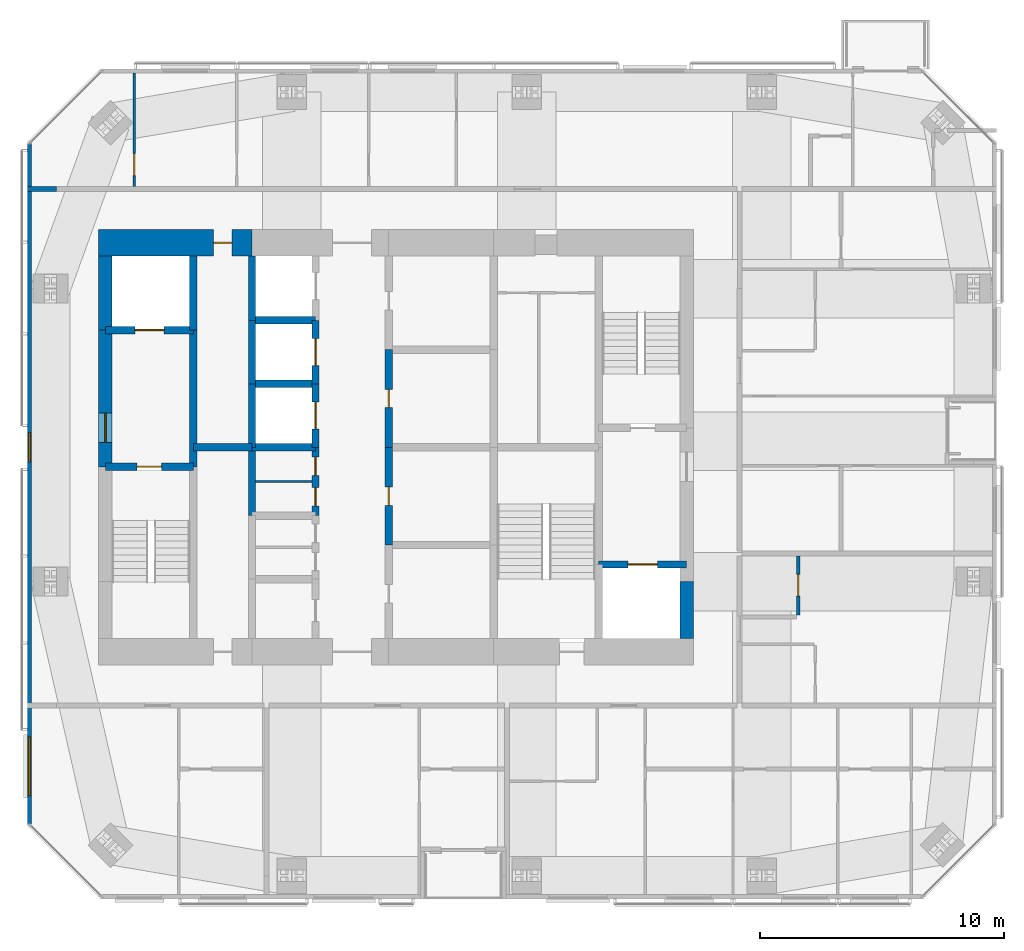
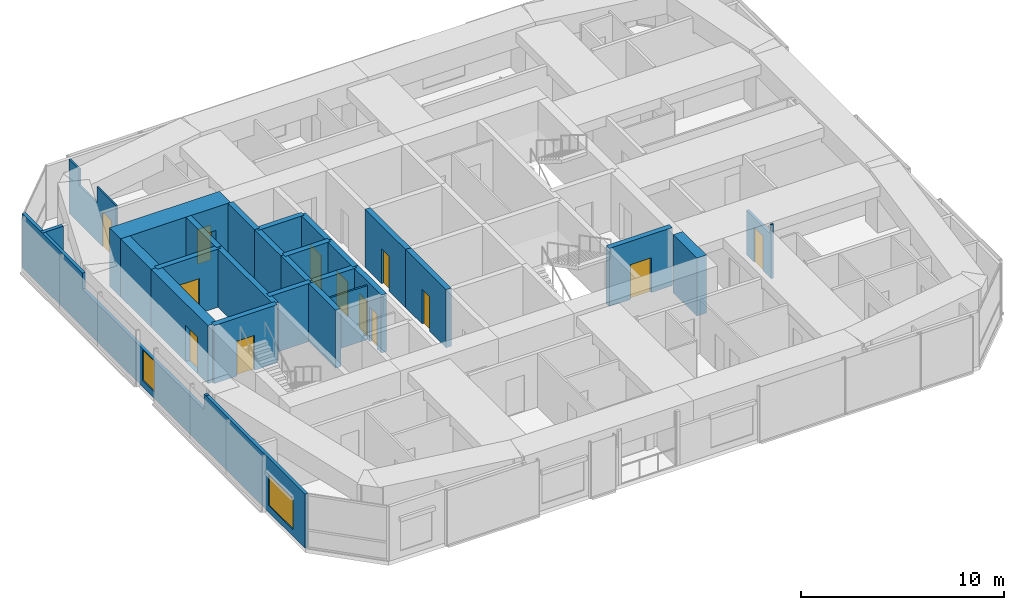
# One storey, part 16 of 20: 27 walls, 13 doors, 2 windows, 15 openings.
"""IFC4 building model written with IfcOpenShell, lengths in metres."""

from ifc_helpers import new_model, si_unit, direction, frame, frame_2d, origin, place, context, subcontext, project, spatial, polyline, rectangle, outline, extrude, material, layer, layer_set, constituent, constituent_set, type_object, element, fill, save


model = new_model("IFC4")

# Units and contexts
model_context = context("Model", 3, precision=1e-05, world=origin(), true_north=direction((0.0, 1.0)))
body_context = subcontext(model_context, "Body", "Model", "MODEL_VIEW")
ifc_project = project(units=[si_unit("LENGTHUNIT", "METRE"), si_unit("AREAUNIT", "SQUARE_METRE"), si_unit("VOLUMEUNIT", "CUBIC_METRE"), si_unit("PLANEANGLEUNIT", "RADIAN"), si_unit("MASSUNIT", "GRAM", prefix="KILO")], contexts=[model_context])

# Site, building, storey
site_placement = place(None, origin())
site = spatial("IfcSite", under=ifc_project, at=site_placement, CompositionType="ELEMENT")
building_placement = place(site_placement, origin())
building = spatial("IfcBuilding", under=site, at=building_placement, Name="Jalousie Tower", CompositionType="ELEMENT")
storey_placement = place(building_placement, frame((0.0, 0.0, 238.949951171875)))
storey = spatial("IfcBuildingStorey", under=building, at=storey_placement, Name="L65", CompositionType="ELEMENT", Elevation=238.949951171875)

# Wall, opening, door
ifc_material_1 = material(Name="Concrete block ASTM C90", Category="concrete")
ifc_constituent_1 = constituent(ifc_material_1, Name="Body")
ifc_material_2 = material(Name="Render")
ifc_constituent_2 = constituent(ifc_material_2, Name="Finish")
ifc_constituent_set_1 = constituent_set(constituents=[ifc_constituent_1, ifc_constituent_2])
wall_type_1 = type_object("IfcWallType", Name="BATHROOM WALL 150", PredefinedType="PLUMBINGWALL", material=ifc_constituent_set_1)
wall_1_placement = place(storey_placement, frame((48.375, 11.625, 0.0), z_axis=(0.0, 0.0, 1.0), x_axis=(0.0, 1.0, 0.0)))
wall_1 = element("IfcWall", 1, at=wall_1_placement, inside=storey, type_object=wall_type_1, Name="Bathroom Wall 150 L65", PredefinedType="PLUMBINGWALL", context=body_context, shape_type="SweptSolid", body=[
    extrude(outline(polyline([(0.0, 0.0), (2.425048828125, 0.0), (2.425048828125, 3.260009765625), (2.425048828125, 2.66015625), (0.090087890625, 2.66015625), (0.090087890625, 3.260009765625), (0.0, 3.260009765625), (0.0, 0.0)])), frame((0.0, 0.074951171875, 0.0), z_axis=(0.0, -1.0, 0.0), x_axis=(1.0, 0.0, 0.0)), (0.0, 0.0, 1.0), 0.14990234375),
])
opening_1_placement = place(wall_1_placement, frame((0.77490234375, 0.0, 0.0)))
opening_1 = element("IfcOpeningElement", 2, at=opening_1_placement, cuts=wall_1, Name="Opening D3", PredefinedType="OPENING", context=body_context, shape_type="SweptSolid", body=[
    extrude(rectangle(XDim=0.89990234375, YDim=2.10009765625, at=frame_2d((0.449951171875, 1.050048828125))), frame((0.0, 0.0849609375, 0.0), z_axis=(0.0, -1.0, 0.0), x_axis=(1.0, 0.0, 0.0)), (0.0, 0.0, 1.0), 0.169921875),
])
ifc_material_3 = material(Name="Timber door", Category="wood")
door_type_1 = type_object("IfcDoorType", Name="BATHROOM DOOR 900", OperationType="SINGLE_SWING_LEFT", PredefinedType="DOOR", material=ifc_material_3)
door_1_placement = place(opening_1_placement, origin())
door_1 = element("IfcDoor", 3, at=door_1_placement, inside=storey, type_object=door_type_1, Name="Apartment 6505 bathroom door", OperationType="SINGLE_SWING_RIGHT", OverallHeight=2.10009765625, OverallWidth=0.89990234375, PredefinedType="DOOR", context=body_context, shape_type="SweptSolid", body=[
    extrude(rectangle(XDim=0.89990234375, YDim=2.10009765625, at=frame_2d((0.449951171875, 1.050048828125))), frame((0.0, 0.02490234375, 0.0), z_axis=(0.0, -1.0, 0.0), x_axis=(1.0, 0.0, 0.0)), (0.0, 0.0, 1.0), 0.050048828125),
])
fill(opening_1, door_1)

ifc_material_4 = material(Name="Concrete f'c 120 MPa", Category="concrete")
ifc_layer_1 = layer(ifc_material_4, 1.10009765625)
ifc_layer_set_1 = layer_set([ifc_layer_1], Name="Concrete f'c 120 MPa")
wall_type_2 = type_object("IfcWallType", Name="CORE WALL 1100", PredefinedType="SHEAR", material=ifc_layer_set_1)
wall_2_placement = place(storey_placement, frame((26.0, 26.875, 0.0), z_axis=(0.0, 0.0, 1.0), x_axis=(-1.0, 0.0, 0.0)))
wall_2 = element("IfcWall", 4, at=wall_2_placement, inside=storey, type_object=wall_type_2, Name="Core wall ND L65", PredefinedType="SHEAR", context=body_context, shape_type="SweptSolid", body=[
    extrude(rectangle(XDim=6.27490234375, YDim=1.10009765625, at=frame_2d((3.137451171875, 0.0))), origin(), (0.0, 0.0, 1.0), 3.5),
])
opening_2_placement = place(wall_2_placement, frame((0.824951171875, 0.0, 0.0)))
opening_2 = element("IfcOpeningElement", 5, at=opening_2_placement, cuts=wall_2, Name="Opening D16", PredefinedType="OPENING", context=body_context, shape_type="SweptSolid", body=[
    extrude(rectangle(XDim=0.75, YDim=2.10009765625, at=frame_2d((0.375, 1.050048828125))), frame((0.0, 0.56005859375, 0.0), z_axis=(0.0, -1.0, 0.0), x_axis=(1.0, 0.0, 0.0)), (0.0, 0.0, 1.0), 1.1201171875),
])
ifc_material_5 = material(Name="Steel fire door", Category="steel")
door_type_2 = type_object("IfcDoorType", Name="RISER DOOR 750", OperationType="SINGLE_SWING_LEFT", PredefinedType="DOOR", material=ifc_material_5)
door_2_placement = place(opening_2_placement, origin())
door_2 = element("IfcDoor", 6, at=door_2_placement, inside=storey, type_object=door_type_2, Name="North riser door", OperationType="SINGLE_SWING_RIGHT", OverallHeight=2.10009765625, OverallWidth=0.75, PredefinedType="DOOR", context=body_context, shape_type="SweptSolid", body=[
    extrude(rectangle(XDim=0.75, YDim=2.10009765625, at=frame_2d((0.375, 1.050048828125))), frame((0.0, 0.02490234375, 0.0), z_axis=(0.0, -1.0, 0.0), x_axis=(1.0, 0.0, 0.0)), (0.0, 0.0, 1.0), 0.050048828125),
])
fill(opening_2, door_2)

# Walls
ifc_material_6 = material(Name="Concrete f'c 120 MPa", Category="concrete")
ifc_layer_2 = layer(ifc_material_6, 0.300048828125)
ifc_layer_set_2 = layer_set([ifc_layer_2], Name="Concrete f'c 120 MPa")
wall_type_3 = type_object("IfcWallType", Name="CORE WALL 300", PredefinedType="SHEAR", material=ifc_layer_set_2)
wall_3_placement = place(storey_placement, frame((23.60009765625, 17.699951171875, 0.0), z_axis=(0.0, 0.0, 1.0), x_axis=(0.0, 1.0, 0.0)))
element("IfcWall", 7, at=wall_3_placement, inside=storey, type_object=wall_type_3, Name="Core wall X23.6B L65", PredefinedType="SHEAR", context=body_context, shape_type="SweptSolid", body=[
    extrude(rectangle(XDim=5.60009765625, YDim=0.300048828125, at=frame_2d((2.800048828125, 0.0))), origin(), (0.0, 0.0, 1.0), 3.5),
])
wall_4_placement = place(storey_placement, frame((23.60009765625, 23.300048828125, 0.0), z_axis=(0.0, 0.0, 1.0), x_axis=(0.0, 1.0, 0.0)))
element("IfcWall", 8, at=wall_4_placement, inside=storey, type_object=wall_type_3, Name="Core wall X23.6C L65", PredefinedType="SHEAR", context=body_context, shape_type="SweptSolid", body=[
    extrude(rectangle(XDim=3.02490234375, YDim=0.300048828125, at=frame_2d((1.512451171875, 0.0))), origin(), (0.0, 0.0, 1.0), 3.5),
])
wall_5_placement = place(storey_placement, frame((26.0, 15.699951171875, 0.0), z_axis=(0.0, 0.0, 1.0), x_axis=(0.0, 1.0, 0.0)))
element("IfcWall", 9, at=wall_5_placement, inside=storey, type_object=wall_type_3, Name="Core wall X26C L65", PredefinedType="SHEAR", context=body_context, shape_type="SweptSolid", body=[
    extrude(rectangle(XDim=2.800048828125, YDim=0.300048828125, at=frame_2d((1.39990234375, 0.0))), origin(), (0.0, 0.0, 1.0), 3.5),
])
wall_6_placement = place(storey_placement, frame((26.0, 18.5, 0.0), z_axis=(0.0, 0.0, 1.0), x_axis=(0.0, 1.0, 0.0)))
element("IfcWall", 10, at=wall_6_placement, inside=storey, type_object=wall_type_3, Name="Core wall X26D L65", PredefinedType="SHEAR", context=body_context, shape_type="SweptSolid", body=[
    extrude(rectangle(XDim=2.60009765625, YDim=0.300048828125, at=frame_2d((1.300048828125, 0.0))), origin(), (0.0, 0.0, 1.0), 3.5),
])
wall_7_placement = place(storey_placement, frame((26.0, 21.10009765625, 0.0), z_axis=(0.0, 0.0, 1.0), x_axis=(0.0, 1.0, 0.0)))
element("IfcWall", 11, at=wall_7_placement, inside=storey, type_object=wall_type_3, Name="Core wall X26E L65", PredefinedType="SHEAR", context=body_context, shape_type="SweptSolid", body=[
    extrude(rectangle(XDim=2.599853515625, YDim=0.300048828125, at=frame_2d((1.2998046875, 0.0))), origin(), (0.0, 0.0, 1.0), 3.5),
])
wall_8_placement = place(storey_placement, frame((26.0, 23.699951171875, 0.0), z_axis=(0.0, 0.0, 1.0), x_axis=(0.0, 1.0, 0.0)))
element("IfcWall", 12, at=wall_8_placement, inside=storey, type_object=wall_type_3, Name="Core wall X26F L65", PredefinedType="SHEAR", context=body_context, shape_type="SweptSolid", body=[
    extrude(rectangle(XDim=2.625, YDim=0.300048828125, at=frame_2d((1.3125, 0.0))), origin(), (0.0, 0.0, 1.0), 3.5),
])

# Wall, openings, doors
wall_9_placement = place(storey_placement, frame((28.60009765625, 15.699951171875, 0.0), z_axis=(0.0, 0.0, 1.0), x_axis=(0.0, 1.0, 0.0)))
wall_9 = element("IfcWall", 13, at=wall_9_placement, inside=storey, type_object=wall_type_3, Name="Core wall X28.6C L65", PredefinedType="SHEAR", context=body_context, shape_type="SweptSolid", body=[
    extrude(rectangle(XDim=2.800048828125, YDim=0.300048828125, at=frame_2d((1.39990234375, 0.0))), origin(), (0.0, 0.0, 1.0), 3.5),
])
opening_3_placement = place(wall_9_placement, frame((0.39990234375, 0.0, 0.0)))
opening_3 = element("IfcOpeningElement", 14, at=opening_3_placement, cuts=wall_9, Name="Opening D27", PredefinedType="OPENING", context=body_context, shape_type="SweptSolid", body=[
    extrude(rectangle(XDim=0.75, YDim=2.10009765625, at=frame_2d((0.375, 1.050048828125))), frame((0.0, 0.159912109375, 0.0), z_axis=(0.0, -1.0, 0.0), x_axis=(1.0, 0.0, 0.0)), (0.0, 0.0, 1.0), 0.320068359375),
])
opening_4_placement = place(wall_9_placement, frame((1.64990234375, 0.0, 0.0)))
opening_4 = element("IfcOpeningElement", 15, at=opening_4_placement, cuts=wall_9, Name="Opening D27", PredefinedType="OPENING", context=body_context, shape_type="SweptSolid", body=[
    extrude(rectangle(XDim=0.75, YDim=2.10009765625, at=frame_2d((0.375, 1.050048828125))), frame((0.0, 0.159912109375, 0.0), z_axis=(0.0, -1.0, 0.0), x_axis=(1.0, 0.0, 0.0)), (0.0, 0.0, 1.0), 0.320068359375),
])
ifc_material_7 = material(Name="Steel fire door", Category="steel")
door_type_3 = type_object("IfcDoorType", Name="CORE ROOM DOOR 750", OperationType="SINGLE_SWING_LEFT", PredefinedType="DOOR", material=ifc_material_7)
door_3_placement = place(opening_3_placement, origin())
door_3 = element("IfcDoor", 16, at=door_3_placement, inside=storey, type_object=door_type_3, Name="Linen store door", OperationType="SINGLE_SWING_RIGHT", OverallHeight=2.10009765625, OverallWidth=0.75, PredefinedType="DOOR", context=body_context, shape_type="SweptSolid", body=[
    extrude(rectangle(XDim=0.75, YDim=2.10009765625, at=frame_2d((0.375, 1.050048828125))), frame((0.0, 0.02490234375, 0.0), z_axis=(0.0, -1.0, 0.0), x_axis=(1.0, 0.0, 0.0)), (0.0, 0.0, 1.0), 0.050048828125),
])
fill(opening_3, door_3)
door_4_placement = place(opening_4_placement, origin())
door_4 = element("IfcDoor", 17, at=door_4_placement, inside=storey, type_object=door_type_3, Name="Staff WC door", OperationType="SINGLE_SWING_LEFT", OverallHeight=2.10009765625, OverallWidth=0.75, PredefinedType="DOOR", context=body_context, shape_type="SweptSolid", body=[
    extrude(rectangle(XDim=0.75, YDim=2.10009765625, at=frame_2d((0.375, 1.050048828125))), frame((0.0, 0.02490234375, 0.0), z_axis=(0.0, -1.0, 0.0), x_axis=(1.0, 0.0, 0.0)), (0.0, 0.0, 1.0), 0.050048828125),
])
fill(opening_4, door_4)

# Wall, opening, door
wall_10_placement = place(storey_placement, frame((28.60009765625, 18.5, 0.0), z_axis=(0.0, 0.0, 1.0), x_axis=(0.0, 1.0, 0.0)))
wall_10 = element("IfcWall", 18, at=wall_10_placement, inside=storey, type_object=wall_type_3, Name="Core wall X28.6D L65", PredefinedType="SHEAR", context=body_context, shape_type="SweptSolid", body=[
    extrude(rectangle(XDim=2.60009765625, YDim=0.300048828125, at=frame_2d((1.300048828125, 0.0))), origin(), (0.0, 0.0, 1.0), 3.5),
])
opening_5_placement = place(wall_10_placement, frame((0.75, 0.0, 0.0)))
opening_5 = element("IfcOpeningElement", 19, at=opening_5_placement, cuts=wall_10, Name="Opening LD1", PredefinedType="OPENING", context=body_context, shape_type="SweptSolid", body=[
    extrude(rectangle(XDim=1.10009765625, YDim=2.10009765625, at=frame_2d((0.550048828125, 1.050048828125))), frame((0.0, 0.159912109375, 0.0), z_axis=(0.0, -1.0, 0.0), x_axis=(1.0, 0.0, 0.0)), (0.0, 0.0, 1.0), 0.320068359375),
])
ifc_material_8 = material(Name="Steel lift landing door", Category="steel")
door_type_4 = type_object("IfcDoorType", Name="LIFT LANDING DOOR 1100", OperationType="SLIDING_TO_LEFT", PredefinedType="DOOR", material=ifc_material_8)
door_5_placement = place(opening_5_placement, origin())
door_5 = element("IfcDoor", 20, at=door_5_placement, inside=storey, type_object=door_type_4, Name="Lift P4 landing door", OperationType="SLIDING_TO_LEFT", OverallHeight=2.10009765625, OverallWidth=1.10009765625, PredefinedType="DOOR", context=body_context, shape_type="SweptSolid", body=[
    extrude(rectangle(XDim=1.10009765625, YDim=2.10009765625, at=frame_2d((0.550048828125, 1.050048828125))), frame((0.0, 0.02490234375, 0.0), z_axis=(0.0, -1.0, 0.0), x_axis=(1.0, 0.0, 0.0)), (0.0, 0.0, 1.0), 0.050048828125),
])
fill(opening_5, door_5)

wall_11_placement = place(storey_placement, frame((28.60009765625, 21.10009765625, 0.0), z_axis=(0.0, 0.0, 1.0), x_axis=(0.0, 1.0, 0.0)))
wall_11 = element("IfcWall", 21, at=wall_11_placement, inside=storey, type_object=wall_type_3, Name="Core wall X28.6E L65", PredefinedType="SHEAR", context=body_context, shape_type="SweptSolid", body=[
    extrude(rectangle(XDim=2.599853515625, YDim=0.300048828125, at=frame_2d((1.2998046875, 0.0))), origin(), (0.0, 0.0, 1.0), 3.5),
])
opening_6_placement = place(wall_11_placement, frame((0.75, 0.0, 0.0)))
opening_6 = element("IfcOpeningElement", 22, at=opening_6_placement, cuts=wall_11, Name="Opening LD1", PredefinedType="OPENING", context=body_context, shape_type="SweptSolid", body=[
    extrude(rectangle(XDim=1.10009765625, YDim=2.10009765625, at=frame_2d((0.550048828125, 1.050048828125))), frame((0.0, 0.159912109375, 0.0), z_axis=(0.0, -1.0, 0.0), x_axis=(1.0, 0.0, 0.0)), (0.0, 0.0, 1.0), 0.320068359375),
])
door_6_placement = place(opening_6_placement, origin())
door_6 = element("IfcDoor", 23, at=door_6_placement, inside=storey, type_object=door_type_4, Name="Lift P5 landing door", OperationType="SLIDING_TO_LEFT", OverallHeight=2.10009765625, OverallWidth=1.10009765625, PredefinedType="DOOR", context=body_context, shape_type="SweptSolid", body=[
    extrude(rectangle(XDim=1.10009765625, YDim=2.10009765625, at=frame_2d((0.550048828125, 1.050048828125))), frame((0.0, 0.02490234375, 0.0), z_axis=(0.0, -1.0, 0.0), x_axis=(1.0, 0.0, 0.0)), (0.0, 0.0, 1.0), 0.050048828125),
])
fill(opening_6, door_6)

wall_12_placement = place(storey_placement, frame((31.60009765625, 14.5, 0.0), z_axis=(0.0, 0.0, 1.0), x_axis=(0.0, 1.0, 0.0)))
wall_12 = element("IfcWall", 24, at=wall_12_placement, inside=storey, type_object=wall_type_3, Name="Core wall X31.6B L65", PredefinedType="SHEAR", context=body_context, shape_type="SweptSolid", body=[
    extrude(rectangle(XDim=4.0, YDim=0.300048828125, at=frame_2d((2.0, 0.0))), origin(), (0.0, 0.0, 1.0), 3.5),
])
opening_7_placement = place(wall_12_placement, frame((1.625, 0.0, 0.0)))
opening_7 = element("IfcOpeningElement", 25, at=opening_7_placement, cuts=wall_12, Name="Opening D16", PredefinedType="OPENING", context=body_context, shape_type="SweptSolid", body=[
    extrude(rectangle(XDim=0.75, YDim=2.10009765625, at=frame_2d((0.375, 1.050048828125))), frame((0.0, 0.159912109375, 0.0), z_axis=(0.0, -1.0, 0.0), x_axis=(1.0, 0.0, 0.0)), (0.0, 0.0, 1.0), 0.320068359375),
])
door_7_placement = place(opening_7_placement, frame((0.75, 0.0, 0.0), z_axis=(0.0, 0.0, 1.0), x_axis=(-1.0, 0.0, 0.0)))
door_7 = element("IfcDoor", 26, at=door_7_placement, inside=storey, type_object=door_type_2, Name="Electrical Room door", OperationType="SINGLE_SWING_RIGHT", OverallHeight=2.10009765625, OverallWidth=0.75, PredefinedType="DOOR", context=body_context, shape_type="SweptSolid", body=[
    extrude(rectangle(XDim=0.75, YDim=2.10009765625, at=frame_2d((0.375, 1.050048828125))), frame((0.0, 0.02490234375, 0.0), z_axis=(0.0, -1.0, 0.0), x_axis=(1.0, 0.0, 0.0)), (0.0, 0.0, 1.0), 0.050048828125),
])
fill(opening_7, door_7)

wall_13_placement = place(storey_placement, frame((31.60009765625, 18.5, 0.0), z_axis=(0.0, 0.0, 1.0), x_axis=(0.0, 1.0, 0.0)))
wall_13 = element("IfcWall", 27, at=wall_13_placement, inside=storey, type_object=wall_type_3, Name="Core wall X31.6C L65", PredefinedType="SHEAR", context=body_context, shape_type="SweptSolid", body=[
    extrude(rectangle(XDim=4.0, YDim=0.300048828125, at=frame_2d((2.0, 0.0))), origin(), (0.0, 0.0, 1.0), 3.5),
])
opening_8_placement = place(wall_13_placement, frame((1.625, 0.0, 0.0)))
opening_8 = element("IfcOpeningElement", 28, at=opening_8_placement, cuts=wall_13, Name="Opening D16", PredefinedType="OPENING", context=body_context, shape_type="SweptSolid", body=[
    extrude(rectangle(XDim=0.75, YDim=2.10009765625, at=frame_2d((0.375, 1.050048828125))), frame((0.0, 0.159912109375, 0.0), z_axis=(0.0, -1.0, 0.0), x_axis=(1.0, 0.0, 0.0)), (0.0, 0.0, 1.0), 0.320068359375),
])
door_8_placement = place(opening_8_placement, frame((0.75, 0.0, 0.0), z_axis=(0.0, 0.0, 1.0), x_axis=(-1.0, 0.0, 0.0)))
door_8 = element("IfcDoor", 29, at=door_8_placement, inside=storey, type_object=door_type_2, Name="Telecom Room door", OperationType="SINGLE_SWING_RIGHT", OverallHeight=2.10009765625, OverallWidth=0.75, PredefinedType="DOOR", context=body_context, shape_type="SweptSolid", body=[
    extrude(rectangle(XDim=0.75, YDim=2.10009765625, at=frame_2d((0.375, 1.050048828125))), frame((0.0, 0.02490234375, 0.0), z_axis=(0.0, -1.0, 0.0), x_axis=(1.0, 0.0, 0.0)), (0.0, 0.0, 1.0), 0.050048828125),
])
fill(opening_8, door_8)

wall_14_placement = place(storey_placement, frame((20.0, 17.699951171875, 0.0), z_axis=(0.0, 0.0, 1.0), x_axis=(1.0, 0.0, 0.0)))
wall_14 = element("IfcWall", 30, at=wall_14_placement, inside=storey, type_object=wall_type_3, Name="Core wall Y20-17.7 L65", PredefinedType="SHEAR", context=body_context, shape_type="SweptSolid", body=[
    extrude(rectangle(XDim=3.60009765625, YDim=0.300048828125, at=frame_2d((1.800048828125, 0.0))), origin(), (0.0, 0.0, 1.0), 3.5),
])
opening_9_placement = place(wall_14_placement, frame((1.300048828125, 0.0, 0.0)))
opening_9 = element("IfcOpeningElement", 31, at=opening_9_placement, cuts=wall_14, Name="Opening D10", PredefinedType="OPENING", context=body_context, shape_type="SweptSolid", body=[
    extrude(rectangle(XDim=1.0, YDim=2.10009765625, at=frame_2d((0.5, 1.050048828125))), frame((0.0, 0.159912109375, 0.0), z_axis=(0.0, -1.0, 0.0), x_axis=(1.0, 0.0, 0.0)), (0.0, 0.0, 1.0), 0.320068359375),
])
ifc_material_9 = material(Name="Steel fire door", Category="steel")
door_type_5 = type_object("IfcDoorType", Name="STAIR DOOR 1000", OperationType="SINGLE_SWING_LEFT", PredefinedType="DOOR", material=ifc_material_9)
door_9_placement = place(opening_9_placement, frame((1.0, 0.0, 0.0), z_axis=(0.0, 0.0, 1.0), x_axis=(-1.0, 0.0, 0.0)))
door_9 = element("IfcDoor", 32, at=door_9_placement, inside=storey, type_object=door_type_5, Name="Exit stair A door", OperationType="SINGLE_SWING_RIGHT", OverallHeight=2.10009765625, OverallWidth=1.0, PredefinedType="DOOR", context=body_context, shape_type="SweptSolid", body=[
    extrude(rectangle(XDim=1.0, YDim=2.10009765625, at=frame_2d((0.5, 1.050048828125))), frame((0.0, 0.02490234375, 0.0), z_axis=(0.0, -1.0, 0.0), x_axis=(1.0, 0.0, 0.0)), (0.0, 0.0, 1.0), 0.050048828125),
])
fill(opening_9, door_9)

wall_15_placement = place(storey_placement, frame((20.0, 23.300048828125, 0.0), z_axis=(0.0, 0.0, 1.0), x_axis=(1.0, 0.0, 0.0)))
wall_15 = element("IfcWall", 33, at=wall_15_placement, inside=storey, type_object=wall_type_3, Name="Core wall Y20-23.3 L65", PredefinedType="SHEAR", context=body_context, shape_type="SweptSolid", body=[
    extrude(rectangle(XDim=3.60009765625, YDim=0.300048828125, at=frame_2d((1.800048828125, 0.0))), origin(), (0.0, 0.0, 1.0), 3.5),
])
opening_10_placement = place(wall_15_placement, frame((1.199951171875, 0.0, 0.0)))
opening_10 = element("IfcOpeningElement", 34, at=opening_10_placement, cuts=wall_15, Name="Opening LD2", PredefinedType="OPENING", context=body_context, shape_type="SweptSolid", body=[
    extrude(rectangle(XDim=1.199951171875, YDim=2.10009765625, at=frame_2d((0.60009765625, 1.050048828125))), frame((0.0, 0.159912109375, 0.0), z_axis=(0.0, -1.0, 0.0), x_axis=(1.0, 0.0, 0.0)), (0.0, 0.0, 1.0), 0.320068359375),
])
ifc_material_10 = material(Name="Steel lift landing door", Category="steel")
door_type_6 = type_object("IfcDoorType", Name="LIFT LANDING DOOR 1200", OperationType="SLIDING_TO_LEFT", PredefinedType="DOOR", material=ifc_material_10)
door_10_placement = place(opening_10_placement, origin())
door_10 = element("IfcDoor", 35, at=door_10_placement, inside=storey, type_object=door_type_6, Name="Lift F1 landing door", OperationType="SLIDING_TO_LEFT", OverallHeight=2.10009765625, OverallWidth=1.199951171875, PredefinedType="DOOR", context=body_context, shape_type="SweptSolid", body=[
    extrude(rectangle(XDim=1.199951171875, YDim=2.10009765625, at=frame_2d((0.60009765625, 1.050048828125))), frame((0.0, 0.02490234375, 0.0), z_axis=(0.0, -1.0, 0.0), x_axis=(1.0, 0.0, 0.0)), (0.0, 0.0, 1.0), 0.050048828125),
])
fill(opening_10, door_10)

# Walls
wall_16_placement = place(storey_placement, frame((23.60009765625, 18.5, 0.0), z_axis=(0.0, 0.0, 1.0), x_axis=(1.0, 0.0, 0.0)))
element("IfcWall", 36, at=wall_16_placement, inside=storey, type_object=wall_type_3, Name="Core wall Y23.6-18.5 L65", PredefinedType="SHEAR", context=body_context, shape_type="SweptSolid", body=[
    extrude(rectangle(XDim=2.39990234375, YDim=0.300048828125, at=frame_2d((1.199951171875, 0.0))), origin(), (0.0, 0.0, 1.0), 3.5),
])
for number, where, z_axis, x_axis, name in (
    (37, (26.0, 18.5, 0.0), (0.0, 0.0, 1.0), (1.0, 0.0, 0.0), "Core wall Y26-18.5 L65"),
    (38, (26.0, 21.10009765625, 0.0), (0.0, 0.0, 1.0), (1.0, 0.0, 0.0), "Core wall Y26-21.1 L65"),
    (39, (26.0, 23.699951171875, 0.0), (0.0, 0.0, 1.0), (1.0, 0.0, 0.0), "Core wall Y26-23.7 L65"),
):
    element("IfcWall", number, at=place(storey_placement, frame(where, z_axis=z_axis, x_axis=x_axis)), inside=storey, type_object=wall_type_3, Name=name, PredefinedType="SHEAR", context=body_context, shape_type="SweptSolid", body=[
        extrude(rectangle(XDim=2.60009765625, YDim=0.300048828125, at=frame_2d((1.300048828125, 0.0))), origin(), (0.0, 0.0, 1.0), 3.5),
    ])

# Wall, opening, door
wall_17_placement = place(storey_placement, frame((40.199951171875, 13.699951171875, 0.0), z_axis=(0.0, 0.0, 1.0), x_axis=(1.0, 0.0, 0.0)))
wall_17 = element("IfcWall", 40, at=wall_17_placement, inside=storey, type_object=wall_type_3, Name="Core wall Y40.2-13.7 L65", PredefinedType="SHEAR", context=body_context, shape_type="SweptSolid", body=[
    extrude(rectangle(XDim=3.60009765625, YDim=0.300048828125, at=frame_2d((1.800048828125, 0.0))), origin(), (0.0, 0.0, 1.0), 3.5),
])
opening_11_placement = place(wall_17_placement, frame((1.199951171875, 0.0, 0.0)))
opening_11 = element("IfcOpeningElement", 41, at=opening_11_placement, cuts=wall_17, Name="Opening LD2", PredefinedType="OPENING", context=body_context, shape_type="SweptSolid", body=[
    extrude(rectangle(XDim=1.199951171875, YDim=2.10009765625, at=frame_2d((0.60009765625, 1.050048828125))), frame((0.0, 0.159912109375, 0.0), z_axis=(0.0, -1.0, 0.0), x_axis=(1.0, 0.0, 0.0)), (0.0, 0.0, 1.0), 0.320068359375),
])
door_11_placement = place(opening_11_placement, origin())
door_11 = element("IfcDoor", 42, at=door_11_placement, inside=storey, type_object=door_type_6, Name="Lift F2 landing door", OperationType="SLIDING_TO_LEFT", OverallHeight=2.10009765625, OverallWidth=1.199951171875, PredefinedType="DOOR", context=body_context, shape_type="SweptSolid", body=[
    extrude(rectangle(XDim=1.199951171875, YDim=2.10009765625, at=frame_2d((0.60009765625, 1.050048828125))), frame((0.0, 0.02490234375, 0.0), z_axis=(0.0, -1.0, 0.0), x_axis=(1.0, 0.0, 0.0)), (0.0, 0.0, 1.0), 0.050048828125),
])
fill(opening_11, door_11)

# Wall
ifc_material_11 = material(Name="Concrete f'c 120 MPa", Category="concrete")
ifc_layer_3 = layer(ifc_material_11, 0.550048828125)
ifc_layer_set_3 = layer_set([ifc_layer_3], Name="Concrete f'c 120 MPa")
wall_type_4 = type_object("IfcWallType", Name="CORE WALL 550", PredefinedType="SHEAR", material=ifc_layer_set_3)
wall_18_placement = place(storey_placement, frame((20.0, 26.324951171875, 0.0), z_axis=(0.0, 0.0, 1.0), x_axis=(0.0, -1.0, 0.0)))
element("IfcWall", 43, at=wall_18_placement, inside=storey, type_object=wall_type_4, Name="Core wall WA L65", PredefinedType="SHEAR", context=body_context, shape_type="SweptSolid", body=[
    extrude(rectangle(XDim=3.02490234375, YDim=0.550048828125, at=frame_2d((1.512451171875, 0.0))), origin(), (0.0, 0.0, 1.0), 3.5),
])

# Wall, opening, door
wall_19_placement = place(storey_placement, frame((20.0, 23.300048828125, 0.0), z_axis=(0.0, 0.0, 1.0), x_axis=(0.0, -1.0, 0.0)))
wall_19 = element("IfcWall", 44, at=wall_19_placement, inside=storey, type_object=wall_type_4, Name="Core wall WB L65", PredefinedType="SHEAR", context=body_context, shape_type="SweptSolid", body=[
    extrude(rectangle(XDim=5.60009765625, YDim=0.550048828125, at=frame_2d((2.800048828125, 0.0))), origin(), (0.0, 0.0, 1.0), 3.5),
])
opening_12_placement = place(wall_19_placement, frame((3.39990234375, 0.0, 0.0)))
opening_12 = element("IfcOpeningElement", 45, at=opening_12_placement, cuts=wall_19, Name="Opening D11", PredefinedType="OPENING", context=body_context, shape_type="SweptSolid", body=[
    extrude(rectangle(XDim=1.199951171875, YDim=2.199951171875, at=frame_2d((0.60009765625, 1.10009765625))), frame((0.0, 0.284912109375, 0.0), z_axis=(0.0, -1.0, 0.0), x_axis=(1.0, 0.0, 0.0)), (0.0, 0.0, 1.0), 0.570068359375),
])
ifc_material_12 = material(Name="Steel fire door", Category="steel")
door_type_7 = type_object("IfcDoorType", Name="FIRE DOOR 1200", OperationType="SINGLE_SWING_LEFT", PredefinedType="DOOR", material=ifc_material_12)
door_12_placement = place(opening_12_placement, origin())
door_12 = element("IfcDoor", 46, at=door_12_placement, inside=storey, type_object=door_type_7, Name="Fire-fighting lobby A door", OperationType="SINGLE_SWING_RIGHT", OverallHeight=2.199951171875, OverallWidth=1.199951171875, PredefinedType="DOOR", context=body_context, shape_type="SweptSolid", body=[
    extrude(rectangle(XDim=1.199951171875, YDim=2.199951171875, at=frame_2d((0.60009765625, 1.10009765625))), frame((0.0, 0.02490234375, 0.0), z_axis=(0.0, -1.0, 0.0), x_axis=(1.0, 0.0, 0.0)), (0.0, 0.0, 1.0), 0.050048828125),
])
fill(opening_12, door_12)

# Wall
wall_20_placement = place(storey_placement, frame((43.800048828125, 10.675048828125, 0.0), z_axis=(0.0, 0.0, 1.0), x_axis=(0.0, 1.0, 0.0)))
element("IfcWall", 47, at=wall_20_placement, inside=storey, type_object=wall_type_4, Name="Core wall EA L65", PredefinedType="SHEAR", context=body_context, shape_type="SweptSolid", body=[
    extrude(rectangle(XDim=2.324951171875, YDim=0.550048828125, at=frame_2d((1.16259765625, 0.0))), origin(), (0.0, 0.0, 1.0), 3.5),
])

# Wall, openings, windows
ifc_material_13 = material(Name="Concrete f'c 40 MPa", Category="concrete")
ifc_constituent_3 = constituent(ifc_material_13, Name="Body")
ifc_material_14 = material(Name="Render, pastel sky blue")
ifc_constituent_4 = constituent(ifc_material_14, Name="Finish")
ifc_constituent_set_2 = constituent_set(constituents=[ifc_constituent_3, ifc_constituent_4])
wall_type_5 = type_object("IfcWallType", Name="EXTERNAL WALL 175 SKY BLUE RENDER", PredefinedType="SOLIDWALL", material=ifc_constituent_set_2)
wall_21_placement = place(storey_placement, frame((16.887451171875, 30.94873046875, 0.0), z_axis=(0.0, 0.0, 1.0), x_axis=(0.0, -1.0, 0.0)))
wall_21 = element("IfcWall", 48, at=wall_21_placement, inside=storey, type_object=wall_type_5, Name="External Wall 175 Sky Blue Render L65", PredefinedType="SOLIDWALL", context=body_context, shape_type="SweptSolid", body=[
    extrude(outline(polyline([(0.0, 0.0), (27.8974609375, 0.0), (27.8974609375, 3.260009765625), (18.1484375, 3.260009765625), (18.1484375, 2.300048828125), (18.125, 2.300048828125), (18.125, 3.260009765625), (17.94873046875, 3.260009765625), (17.94873046875, 2.300048828125), (5.94873046875, 2.300048828125), (5.94873046875, 3.260009765625), (0.0, 3.260009765625), (0.0, 0.0)])), frame((0.0, 0.08740234375, 0.0), z_axis=(0.0, -1.0, 0.0), x_axis=(1.0, 0.0, 0.0)), (0.0, 0.0, 1.0), 0.175048828125),
])
opening_13_placement = place(wall_21_placement, frame((11.8486328125, 0.0, 0.39990234375)))
opening_13 = element("IfcOpeningElement", 49, at=opening_13_placement, cuts=wall_21, Name="Opening W-COR185", PredefinedType="OPENING", context=body_context, shape_type="SweptSolid", body=[
    extrude(rectangle(XDim=1.199951171875, YDim=1.85009765625, at=frame_2d((0.60009765625, 0.925048828125))), frame((0.0, 0.097412109375, 0.0), z_axis=(0.0, -1.0, 0.0), x_axis=(1.0, 0.0, 0.0)), (0.0, 0.0, 1.0), 0.195068359375),
])
opening_14_placement = place(wall_21_placement, frame((24.310546875, 0.0, 0.39990234375)))
opening_14 = element("IfcOpeningElement", 50, at=opening_14_placement, cuts=wall_21, Name="Opening W-LIV185", PredefinedType="OPENING", context=body_context, shape_type="SweptSolid", body=[
    extrude(rectangle(XDim=2.39990234375, YDim=1.85009765625, at=frame_2d((1.199951171875, 0.925048828125))), frame((0.0, 0.097412109375, 0.0), z_axis=(0.0, -1.0, 0.0), x_axis=(1.0, 0.0, 0.0)), (0.0, 0.0, 1.0), 0.195068359375),
])
ifc_material_15 = material(Name="Aluminium frame, impact-rated glazing", Category="aluminium")
window_type_1 = type_object("IfcWindowType", Name="WINDOW COR 1200x1850", PartitioningType="SINGLE_PANEL", PredefinedType="WINDOW", material=ifc_material_15)
window_1_placement = place(opening_13_placement, origin())
window_1 = element("IfcWindow", 51, at=window_1_placement, inside=storey, type_object=window_type_1, Name="Corridor window", OverallHeight=1.85009765625, OverallWidth=1.199951171875, PartitioningType="SINGLE_PANEL", PredefinedType="WINDOW", context=body_context, shape_type="SweptSolid", body=[
    extrude(rectangle(XDim=1.199951171875, YDim=1.85009765625, at=frame_2d((0.60009765625, 0.925048828125))), frame((0.0, 0.030029296875, 0.0), z_axis=(0.0, -1.0, 0.0), x_axis=(1.0, 0.0, 0.0)), (0.0, 0.0, 1.0), 0.06005859375),
])
fill(opening_13, window_1)
ifc_material_16 = material(Name="Aluminium frame, impact-rated glazing", Category="aluminium")
window_type_2 = type_object("IfcWindowType", Name="WINDOW LIV 2400x1850", PartitioningType="DOUBLE_PANEL_VERTICAL", PredefinedType="WINDOW", material=ifc_material_16)
window_2_placement = place(opening_14_placement, origin())
window_2 = element("IfcWindow", 52, at=window_2_placement, inside=storey, type_object=window_type_2, Name="Apartment 6501 living, dining and kitchen window", OverallHeight=1.85009765625, OverallWidth=2.39990234375, PartitioningType="SINGLE_PANEL", PredefinedType="WINDOW", context=body_context, shape_type="SweptSolid", body=[
    extrude(rectangle(XDim=2.39990234375, YDim=1.85009765625, at=frame_2d((1.199951171875, 0.925048828125))), frame((0.0, 0.030029296875, 0.0), z_axis=(0.0, -1.0, 0.0), x_axis=(1.0, 0.0, 0.0)), (0.0, 0.0, 1.0), 0.06005859375),
])
fill(opening_14, window_2)

# Wall, opening, door
ifc_material_17 = material(Name="Gypsum board", Category="gypsum")
ifc_constituent_5 = constituent(ifc_material_17, Name="Body")
ifc_material_18 = material(Name="Light-gauge steel studs ASTM A653 SS Grade 33", Category="steel")
ifc_constituent_6 = constituent(ifc_material_18, Name="Framing")
ifc_constituent_set_3 = constituent_set(constituents=[ifc_constituent_5, ifc_constituent_6])
wall_type_6 = type_object("IfcWallType", Name="PARTITION 100", PredefinedType="PARTITIONING", material=ifc_constituent_set_3)
wall_22_placement = place(storey_placement, frame((21.17626953125, 33.824951171875, 0.0), z_axis=(0.0, 0.0, 1.0), x_axis=(0.0, -1.0, 0.0)))
wall_22 = element("IfcWall", 53, at=wall_22_placement, inside=storey, type_object=wall_type_6, Name="Partition 100 L65", PredefinedType="PARTITIONING", context=body_context, shape_type="SweptSolid", body=[
    extrude(outline(polyline([(0.0, 0.0), (4.64990234375, 0.0), (4.64990234375, 3.260009765625), (2.739990234375, 3.260009765625), (2.739990234375, 2.300048828125), (0.99560546875, 2.300048828125), (0.99560546875, 3.260009765625), (0.0, 3.260009765625), (0.0, 0.0)])), frame((0.0, 0.050048828125, 0.0), z_axis=(0.0, -1.0, 0.0), x_axis=(1.0, 0.0, 0.0)), (0.0, 0.0, 1.0), 0.10009765625),
])
opening_15_placement = place(wall_22_placement, frame((3.300048828125, 0.0, 0.0)))
opening_15 = element("IfcOpeningElement", 54, at=opening_15_placement, cuts=wall_22, Name="Opening D2", PredefinedType="OPENING", context=body_context, shape_type="SweptSolid", body=[
    extrude(rectangle(XDim=0.89990234375, YDim=2.10009765625, at=frame_2d((0.449951171875, 1.050048828125))), frame((0.0, 0.06005859375, 0.0), z_axis=(0.0, -1.0, 0.0), x_axis=(1.0, 0.0, 0.0)), (0.0, 0.0, 1.0), 0.1201171875),
])
ifc_material_19 = material(Name="Timber door", Category="wood")
door_type_8 = type_object("IfcDoorType", Name="BEDROOM DOOR 900", OperationType="SINGLE_SWING_LEFT", PredefinedType="DOOR", material=ifc_material_19)
door_13_placement = place(opening_15_placement, frame((0.89990234375, 0.0, 0.0), z_axis=(0.0, 0.0, 1.0), x_axis=(-1.0, 0.0, 0.0)))
door_13 = element("IfcDoor", 55, at=door_13_placement, inside=storey, type_object=door_type_8, Name="Apartment 6504 bedroom 1 door", OperationType="SINGLE_SWING_LEFT", OverallHeight=2.10009765625, OverallWidth=0.89990234375, PredefinedType="DOOR", context=body_context, shape_type="SweptSolid", body=[
    extrude(rectangle(XDim=0.89990234375, YDim=2.10009765625, at=frame_2d((0.449951171875, 1.050048828125))), frame((0.0, 0.02490234375, 0.0), z_axis=(0.0, -1.0, 0.0), x_axis=(1.0, 0.0, 0.0)), (0.0, 0.0, 1.0), 0.050048828125),
])
fill(opening_15, door_13)

# Walls
wall_23_placement = place(storey_placement, frame((26.14990234375, 17.10009765625, 0.0), z_axis=(0.0, 0.0, 1.0), x_axis=(1.0, 0.0, 0.0)))
element("IfcWall", 56, at=wall_23_placement, inside=storey, type_object=wall_type_6, Name="Partition 100 L65", PredefinedType="PARTITIONING", context=body_context, shape_type="SweptSolid", body=[
    extrude(rectangle(XDim=2.300048828125, YDim=0.10009765625, at=frame_2d((1.14990234375, 0.0))), origin(), (0.0, 0.0, 1.0), 3.260009765625),
])
ifc_material_20 = material(Name="Concrete block ASTM C90", Category="concrete")
ifc_constituent_7 = constituent(ifc_material_20, Name="Body")
ifc_material_21 = material(Name="Render")
ifc_constituent_8 = constituent(ifc_material_21, Name="Finish")
ifc_constituent_set_4 = constituent_set(constituents=[ifc_constituent_7, ifc_constituent_8])
wall_type_7 = type_object("IfcWallType", Name="PARTY WALL 200", PredefinedType="PARTITIONING", material=ifc_constituent_set_4)
wall_24_placement = place(storey_placement, frame((16.800048828125, 29.074951171875, 0.0), z_axis=(0.0, 0.0, 1.0), x_axis=(1.0, 0.0, 0.0)))
element("IfcWall", 57, at=wall_24_placement, inside=storey, type_object=wall_type_7, Name="Party Wall 200 L65", PredefinedType="PARTITIONING", context=body_context, shape_type="SweptSolid", body=[
    extrude(rectangle(XDim=1.199951171875, YDim=0.199951171875, at=frame_2d((0.60009765625, 0.0))), origin(), (0.0, 0.0, 1.0), 3.260009765625),
])

save(model, "model.ifc")
